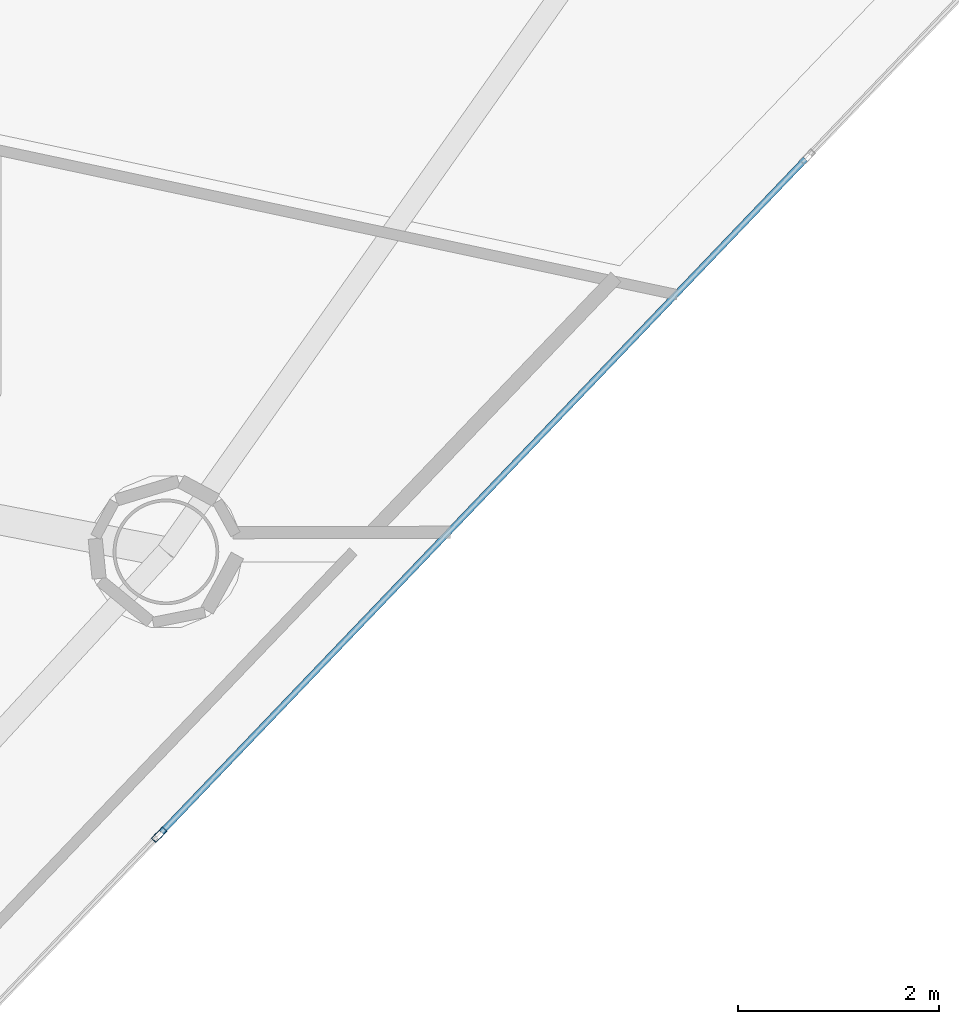
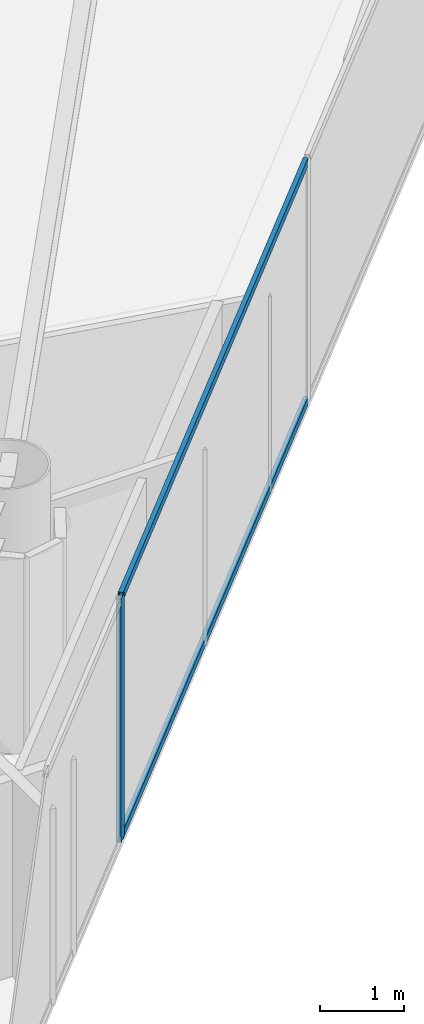
# One storey, part 6 of 21: 3 members, 1 element without a shape of its own.
"""IFC4 building model written with IfcOpenShell, lengths in metres."""

from ifc_helpers import new_model, si_unit, direction, frame, origin, origin_2d, place, context, subcontext, project, spatial, hollow_rectangle, extrude, material, layer, layer_set, material_profile, profile_set, type_object, element, aggregate, save


model = new_model("IFC4")

# Units and contexts
model_context = context("Model", 3, precision=1e-05, world=origin(), true_north=direction((0.0, 1.0)))
body_context = subcontext(model_context, "Body", "Model", "MODEL_VIEW")
ifc_project = project(units=[si_unit("LENGTHUNIT", "METRE"), si_unit("AREAUNIT", "SQUARE_METRE"), si_unit("VOLUMEUNIT", "CUBIC_METRE"), si_unit("PLANEANGLEUNIT", "RADIAN"), si_unit("MASSUNIT", "GRAM", prefix="KILO")], contexts=[model_context])

# Site, building, storey
site_placement = place(None, origin())
site = spatial("IfcSite", under=ifc_project, at=site_placement, CompositionType="ELEMENT")
building_placement = place(site_placement, origin())
building = spatial("IfcBuilding", under=site, at=building_placement, Name="Qianvela Tower", CompositionType="ELEMENT")
storey_placement = place(building_placement, frame((0.0, 0.0, 242.699951171875)))
storey = spatial("IfcBuildingStorey", under=building, at=storey_placement, Name="L62", CompositionType="ELEMENT", Elevation=242.699951171875)

# Curtain wall, members
ifc_material_1 = material(Name="Anodised Architectural Aluminium and Low-E Glass", Category="aluminium")
ifc_layer = layer(ifc_material_1, 0.159912109375)
ifc_layer_set = layer_set([ifc_layer], Name="Anodised Architectural Aluminium and Low-E Glass")
curtain_wall_type = type_object("IfcCurtainWallType", Name="CW-COLIV-Z56", PredefinedType="USERDEFINED", material=ifc_layer_set)
curtain_wall_placement = place(storey_placement, origin())
curtain_wall = element("IfcCurtainWall", 1, at=curtain_wall_placement, inside=storey, type_object=curtain_wall_type, Name="L62 CW-COLIV-Z56 Curtain Wall 06B", ObjectType="CURTAIN_WALL_SYSTEM", PredefinedType="USERDEFINED")
ifc_material_2 = material(Name="Anodised Architectural Aluminium 6063-T6", Category="aluminium")
ifc_material_profile_1 = material_profile(ifc_material_2, hollow_rectangle(XDim=0.06494140625, YDim=0.159912109375, WallThickness=0.0048828125, at=origin_2d()), Name="ALU-MULL-65x160")
ifc_profile_set_1 = profile_set([ifc_material_profile_1], Name="Anodised Architectural Aluminium 6063-T6")
member_type_1 = type_object("IfcMemberType", Name="CW-COLIV-Z56-MULL", PredefinedType="MULLION", material=ifc_profile_set_1)
member_1_placement = place(storey_placement, frame((45.368896484375, 17.787353515625, 0.0), z_axis=(0.0, 0.0, 1.0), x_axis=(-0.722644420766, 0.691219965811, 0.0)))
member_1 = element("IfcMember", 2, at=member_1_placement, type_object=member_type_1, Name="CW-5 mullion 2", PredefinedType="MULLION", context=body_context, shape_type="SweptSolid", body=[
    extrude(hollow_rectangle(XDim=0.06494140625, YDim=0.159912109375, WallThickness=0.0048828125, at=origin_2d()), origin(), (0.0, 0.0, 1.0), 3.52001953125),
])
ifc_material_3 = material(Name="Anodised Architectural Aluminium 6063-T6", Category="aluminium")
ifc_material_profile_2 = material_profile(ifc_material_3, hollow_rectangle(XDim=0.06005859375, YDim=0.114990234375, WallThickness=0.00390625, at=origin_2d()), Name="ALU-TRAN-60x115")
ifc_profile_set_2 = profile_set([ifc_material_profile_2], Name="Anodised Architectural Aluminium 6063-T6")
member_type_2 = type_object("IfcMemberType", Name="CW-COLIV-Z56-TRAN", PredefinedType="USERDEFINED", material=ifc_profile_set_2)
member_2_placement = place(storey_placement, frame((45.391357421875, 17.81103515625, 0.030029296875), z_axis=(0.691220848867, 0.722643576109, 0.0), x_axis=(-0.722643576109, 0.691220848867, 0.0)))
member_2 = element("IfcMember", 3, at=member_2_placement, type_object=member_type_2, Name="CW-5 transom 2.1", ObjectType="TRANSOM", PredefinedType="USERDEFINED", context=body_context, shape_type="SweptSolid", body=[
    extrude(hollow_rectangle(XDim=0.06005859375, YDim=0.114990234375, WallThickness=0.00390625, at=origin_2d()), origin(), (0.0, 0.0, 1.0), 9.253662109375),
])
member_3_placement = place(storey_placement, frame((45.391357421875, 17.81103515625, 3.489990234375), z_axis=(0.691220848867, 0.722643576109, 0.0), x_axis=(-0.722643576109, 0.691220848867, 0.0)))
member_3 = element("IfcMember", 4, at=member_3_placement, type_object=member_type_2, Name="CW-5 transom 2.2", ObjectType="TRANSOM", PredefinedType="USERDEFINED", context=body_context, shape_type="SweptSolid", body=[
    extrude(hollow_rectangle(XDim=0.06005859375, YDim=0.114990234375, WallThickness=0.00390625, at=origin_2d()), origin(), (0.0, 0.0, 1.0), 9.253662109375),
])
aggregate(curtain_wall, [member_1, member_2, member_3])

save(model, "model.ifc")
